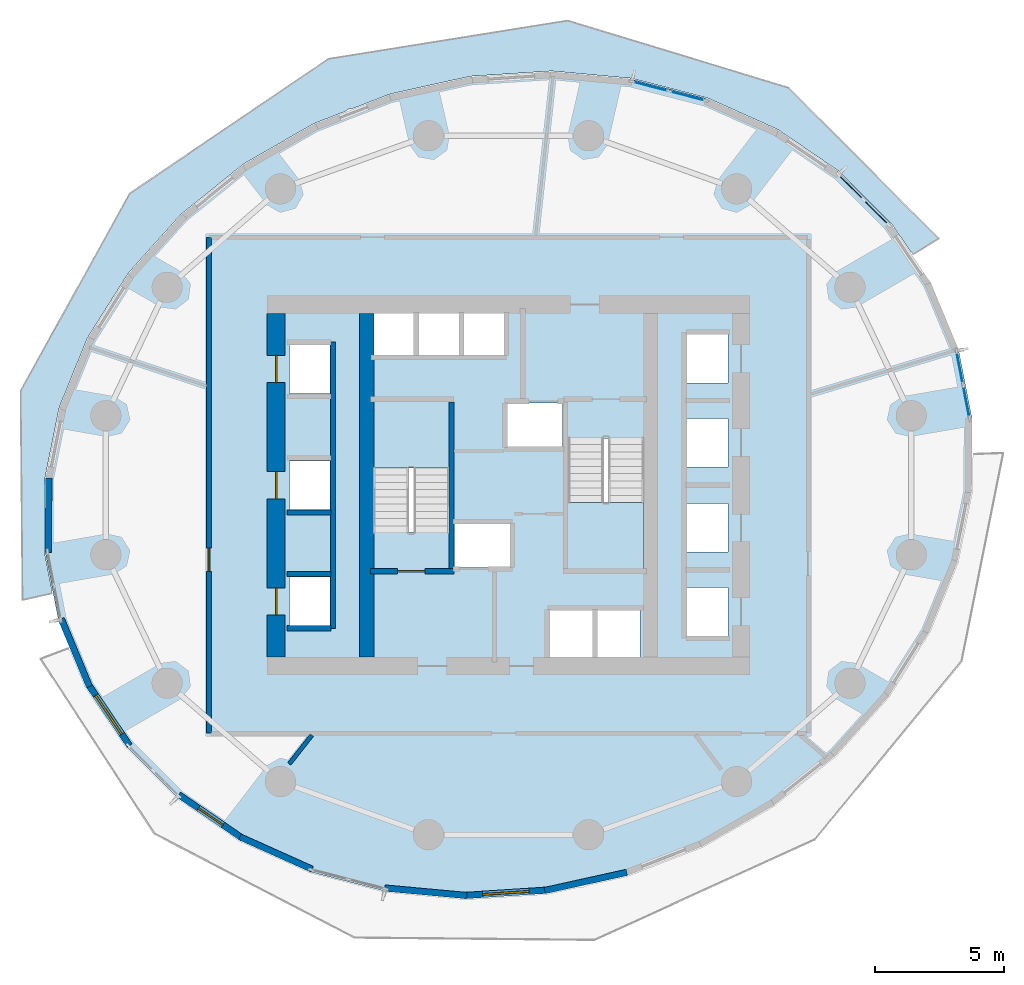
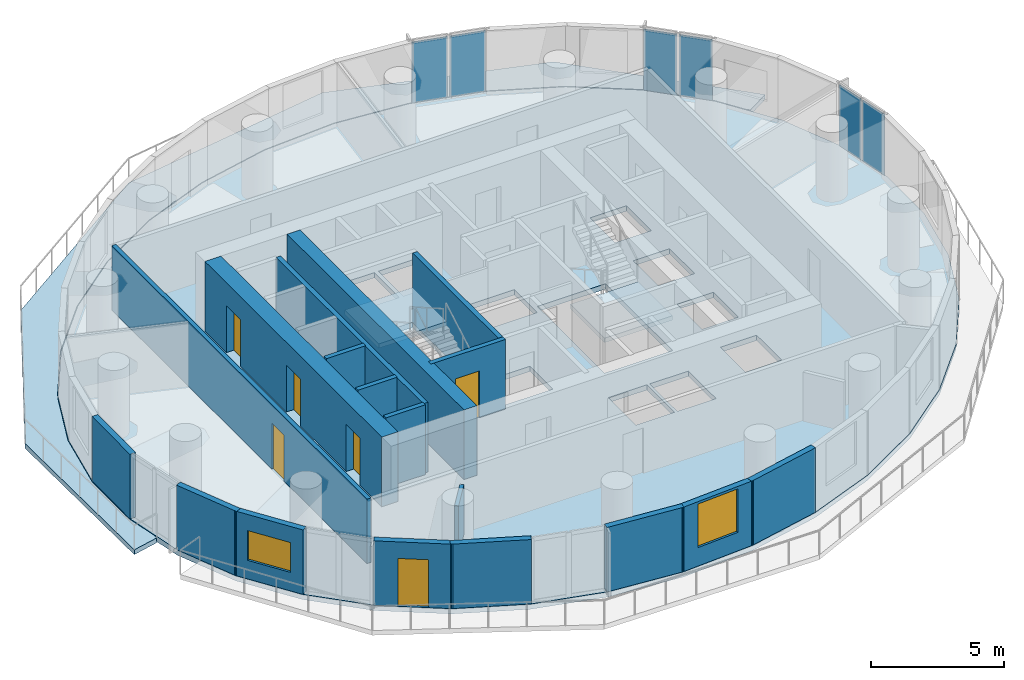
# One storey, part 3 of 10: 18 walls, 6 doors, 6 plates, 4 slabs, 2 windows, 8 openings, 5 elements without a shape of their own.
"""IFC4 building model written with IfcOpenShell, lengths in metres."""

from ifc_helpers import new_model, si_unit, direction, frame, frame_2d, origin, origin_2d, place, context, subcontext, project, spatial, polyline, rectangle, outline, extrude, material, layer, layer_set, type_object, element, fill, aggregate, save


model = new_model("IFC4")

# Units and contexts
model_context = context("Model", 3, precision=1e-05, world=origin(), true_north=direction((0.0, 1.0)))
body_context = subcontext(model_context, "Body", "Model", "MODEL_VIEW")
ifc_project = project(units=[si_unit("LENGTHUNIT", "METRE"), si_unit("AREAUNIT", "SQUARE_METRE"), si_unit("VOLUMEUNIT", "CUBIC_METRE"), si_unit("PLANEANGLEUNIT", "RADIAN"), si_unit("MASSUNIT", "GRAM", prefix="KILO")], contexts=[model_context])

# Site, building, storey
site_placement = place(None, origin())
site = spatial("IfcSite", under=ifc_project, at=site_placement, CompositionType="ELEMENT")
building_placement = place(site_placement, origin())
building = spatial("IfcBuilding", under=site, at=building_placement, Name="Veldorim Arch Residences", CompositionType="ELEMENT")
storey_placement = place(building_placement, frame((0.0, 0.0, 70.8798828125)))
storey = spatial("IfcBuildingStorey", under=building, at=storey_placement, Name="L20", CompositionType="ELEMENT", Elevation=70.8798828125)

# Slab
ifc_material_1 = material(Name="Concrete C40/50", Category="concrete")
ifc_layer_1 = layer(ifc_material_1, 0.219970703125, Name="Planted Crescent Cantilever Balcony Slab 220")
ifc_layer_set_1 = layer_set([ifc_layer_1], Name="Concrete C40/50")
slab_type_1 = type_object("IfcSlabType", Name="Planted Crescent Cantilever Balcony Slab 220", PredefinedType="FLOOR", material=ifc_layer_set_1)
slab_1_placement = place(storey_placement, frame((0.0, 0.0, -0.219970703125)))
element("IfcSlab", 1, at=slab_1_placement, inside=storey, type_object=slab_type_1, Name="L20 planted crescent balcony slab A", PredefinedType="FLOOR", context=body_context, shape_type="SweptSolid", body=[
    extrude(outline(polyline([(47.54833984375, 33.065185546875), (46.830078125, 34.13232421875), (44.821533203125, 36.1376953125), (42.423828125, 37.774169921875), (39.70947265625, 38.991943359375), (36.760986328125, 39.754150390625), (33.668212890625, 40.03759765625), (30.524658203125, 39.833984375), (27.426025390625, 39.149658203125), (25.990478515625, 38.594482421875), (25.816162109375, 38.564208984375), (25.677734375, 38.473388671875), (24.46630859375, 38.0048828125), (21.7353515625, 36.43505859375), (19.316162109375, 34.4873046875), (17.2822265625, 32.220703125), (15.6953125, 29.704345703125), (14.603759765625, 27.014404296875), (14.04052734375, 24.232666015625), (14.0234375, 21.44384765625), (14.30859375, 19.983154296875), (14.29931640625, 19.8134765625), (13.177978515625, 19.55908203125), (13.10498046875, 27.650390625), (17.331298828125, 35.29296875), (25.02294921875, 40.5087890625), (34.28955078125, 41.99169921875), (42.8408203125, 39.389892578125), (48.656982421875, 33.553955078125), (47.677490234375, 32.951416015625), (47.54833984375, 33.065185546875)])), origin(), (0.0, 0.0, 1.0), 0.219970703125),
])

# Stair, slab
ifc_material_2 = material(Name="Concrete C40/50", Category="concrete")
stair_type = type_object("IfcStairType", Name="Reinforced Concrete Dogleg Exit Staircase", PredefinedType="HALF_TURN_STAIR", material=ifc_material_2)
stair_1_placement = place(storey_placement, origin())
stair_1 = element("IfcStair", 2, at=stair_1_placement, inside=storey, type_object=stair_type, Name="L20 Exit Staircase ST-1", PredefinedType="HALF_TURN_STAIR")
ifc_material_3 = material(Name="Concrete C40/50", Category="concrete")
ifc_layer_2 = layer(ifc_material_3, 0.199951171875, Name="Reinforced Concrete Stair Landing 200")
ifc_layer_set_2 = layer_set([ifc_layer_2], Name="Concrete C40/50")
slab_type_2 = type_object("IfcSlabType", Name="Reinforced Concrete Stair Landing 200", PredefinedType="LANDING", material=ifc_layer_set_2)
slab_2_placement = place(storey_placement, frame((0.0, 0.0, 1.400146484375)))
slab_2 = element("IfcSlab", 3, at=slab_2_placement, type_object=slab_type_2, Name="ST-1 landing 1", PredefinedType="LANDING", context=body_context, shape_type="SweptSolid", body=[
    extrude(outline(polyline([(29.7099609375, 24.669921875), (29.7099609375, 27.25), (26.75, 27.25), (26.75, 24.669921875), (29.7099609375, 24.669921875)])), origin(), (0.0, 0.0, 1.0), 0.199951171875),
])
aggregate(stair_1, [slab_2])

stair_2_placement = place(storey_placement, origin())
stair_2 = element("IfcStair", 4, at=stair_2_placement, inside=storey, type_object=stair_type, Name="L20 Exit Staircase ST-2", PredefinedType="HALF_TURN_STAIR")
slab_3_placement = place(storey_placement, frame((0.0, 0.0, 1.400146484375)))
slab_3 = element("IfcSlab", 5, at=slab_3_placement, type_object=slab_type_2, Name="ST-2 landing 1", PredefinedType="LANDING", context=body_context, shape_type="SweptSolid", body=[
    extrude(outline(polyline([(34.2900390625, 23.330078125), (34.2900390625, 20.75), (37.25, 20.75), (37.25, 23.330078125), (34.2900390625, 23.330078125)])), origin(), (0.0, 0.0, 1.0), 0.199951171875),
])
aggregate(stair_2, [slab_3])

# Curtain wall, plates
ifc_material_4 = material(Name="Aluminium", Category="aluminium")
curtain_wall_type = type_object("IfcCurtainWallType", Name="Sky Lounge & Conservatory Tall Curtain Wall", PredefinedType="NOTDEFINED", material=ifc_material_4)
curtain_wall_1_placement = place(storey_placement, origin())
curtain_wall_1 = element("IfcCurtainWall", 6, at=curtain_wall_1_placement, inside=storey, type_object=curtain_wall_type, Name="L20 unitised curtain wall bay 03", PredefinedType="NOTDEFINED")
ifc_material_5 = material(Name="Laminated Low-E Glass", Category="glass")
ifc_layer_3 = layer(ifc_material_5, 0.031982421875, Name="Sky Lounge & Conservatory Tall Curtain Wall Glazing Panel 32")
ifc_layer_set_3 = layer_set([ifc_layer_3], Name="Laminated Low-E Glass")
plate_type = type_object("IfcPlateType", Name="Sky Lounge & Conservatory Tall Curtain Wall Glazing Panel 32", PredefinedType="CURTAIN_PANEL", material=ifc_layer_set_3)
plate_1_placement = place(storey_placement, frame((45.25732421875, 35.5400390625, 0.080078125), z_axis=(0.0, 0.0, 1.0), x_axis=(0.707635986485, -0.706577179529, 0.0)))
plate_1 = element("IfcPlate", 7, at=plate_1_placement, type_object=plate_type, Name="CW-SKY panel 1.1", PredefinedType="CURTAIN_PANEL", context=body_context, shape_type="SweptSolid", body=[
    extrude(rectangle(XDim=1.296630859375, YDim=0.031982421875, at=origin_2d()), origin(), (0.0, 0.0, 1.0), 2.800048828125),
])
plate_2_placement = place(storey_placement, frame((46.231689453125, 34.5673828125, 0.080078125), z_axis=(0.0, 0.0, 1.0), x_axis=(0.707635986485, -0.706577179529, 0.0)))
plate_2 = element("IfcPlate", 8, at=plate_2_placement, type_object=plate_type, Name="CW-SKY panel 2.1", PredefinedType="CURTAIN_PANEL", context=body_context, shape_type="SweptSolid", body=[
    extrude(rectangle(XDim=1.296630859375, YDim=0.031982421875, at=origin_2d()), origin(), (0.0, 0.0, 1.0), 2.800048828125),
])
aggregate(curtain_wall_1, [plate_1, plate_2])

curtain_wall_2_placement = place(storey_placement, origin())
curtain_wall_2 = element("IfcCurtainWall", 9, at=curtain_wall_2_placement, inside=storey, type_object=curtain_wall_type, Name="L20 unitised curtain wall bay 06", PredefinedType="NOTDEFINED")
plate_3_placement = place(storey_placement, frame((37.48974609375, 39.447021484375, 0.080078125), z_axis=(0.0, 0.0, 1.0), x_axis=(0.968169445733, -0.250295673853, 0.0)))
plate_3 = element("IfcPlate", 10, at=plate_3_placement, type_object=plate_type, Name="CW-SKY panel 1.1", PredefinedType="CURTAIN_PANEL", context=body_context, shape_type="SweptSolid", body=[
    extrude(rectangle(XDim=1.400634765625, YDim=0.031982421875, at=origin_2d()), origin(), (0.0, 0.0, 1.0), 2.800048828125),
])
plate_4_placement = place(storey_placement, frame((38.923095703125, 39.076416015625, 0.080078125), z_axis=(0.0, 0.0, 1.0), x_axis=(0.968169445733, -0.250295673853, 0.0)))
plate_4 = element("IfcPlate", 11, at=plate_4_placement, type_object=plate_type, Name="CW-SKY panel 2.1", PredefinedType="CURTAIN_PANEL", context=body_context, shape_type="SweptSolid", body=[
    extrude(rectangle(XDim=1.400634765625, YDim=0.031982421875, at=origin_2d()), origin(), (0.0, 0.0, 1.0), 2.800048828125),
])
aggregate(curtain_wall_2, [plate_3, plate_4])

curtain_wall_3_placement = place(storey_placement, origin())
curtain_wall_3 = element("IfcCurtainWall", 12, at=curtain_wall_3_placement, inside=storey, type_object=curtain_wall_type, Name="L20 unitised curtain wall bay 36", PredefinedType="NOTDEFINED")
plate_5_placement = place(storey_placement, frame((49.470703125, 28.546875, 0.080078125), z_axis=(0.0, 0.0, 1.0), x_axis=(0.191581078313, -0.981476790572, 0.0)))
plate_5 = element("IfcPlate", 13, at=plate_5_placement, type_object=plate_type, Name="CW-SKY panel 1.1", PredefinedType="CURTAIN_PANEL", context=body_context, shape_type="SweptSolid", body=[
    extrude(rectangle(XDim=1.2587890625, YDim=0.031982421875, at=origin_2d()), origin(), (0.0, 0.0, 1.0), 2.800048828125),
])
plate_6_placement = place(storey_placement, frame((49.727294921875, 27.23291015625, 0.080078125), z_axis=(0.0, 0.0, 1.0), x_axis=(0.191581078313, -0.981476790572, 0.0)))
plate_6 = element("IfcPlate", 14, at=plate_6_placement, type_object=plate_type, Name="CW-SKY panel 2.1", PredefinedType="CURTAIN_PANEL", context=body_context, shape_type="SweptSolid", body=[
    extrude(rectangle(XDim=1.2587890625, YDim=0.031982421875, at=origin_2d()), origin(), (0.0, 0.0, 1.0), 2.800048828125),
])
aggregate(curtain_wall_3, [plate_5, plate_6])

# Slab
ifc_material_6 = material(Name="Concrete C40/50", Category="concrete")
ifc_layer_4 = layer(ifc_material_6, 0.239990234375, Name="Typical Residential Floor Slab 240")
ifc_layer_set_4 = layer_set([ifc_layer_4], Name="Concrete C40/50")
slab_type_3 = type_object("IfcSlabType", Name="Typical Residential Floor Slab 240", PredefinedType="FLOOR", material=ifc_layer_set_4)
slab_4_placement = place(storey_placement, frame((0.0, 0.0, -0.239990234375)))
element("IfcSlab", 15, at=slab_4_placement, inside=storey, type_object=slab_type_3, Name="L20 tower structural floor slab", PredefinedType="FLOOR", context=body_context, shape_type="SweptSolid", body=[
    extrude(outline(polyline([(49.423095703125, 29.260498046875), (48.365478515625, 31.806884765625), (46.810546875, 34.116455078125), (44.8056640625, 36.118408203125), (42.41162109375, 37.752197265625), (39.701171875, 38.96826171875), (36.756591796875, 39.7294921875), (33.667724609375, 40.0126953125), (30.5283203125, 39.809326171875), (27.433349609375, 39.12548828125), (24.477294921875, 37.982421875), (21.74951171875, 36.414306640625), (19.33349609375, 34.468994140625), (17.30224609375, 32.20556640625), (15.717529296875, 29.69287109375), (14.627685546875, 27.007080078125), (14.065673828125, 24.22998046875), (14.048583984375, 21.446044921875), (14.576904296875, 18.739501953125), (15.634521484375, 16.193115234375), (17.189453125, 13.883544921875), (19.1943359375, 11.881591796875), (21.58837890625, 10.247802734375), (24.298828125, 9.03173828125), (27.243408203125, 8.2705078125), (30.332275390625, 7.9873046875), (33.4716796875, 8.190673828125), (36.566650390625, 8.87451171875), (39.522705078125, 10.017578125), (42.25048828125, 11.585693359375), (44.66650390625, 13.531005859375), (46.69775390625, 15.79443359375), (48.282470703125, 18.30712890625), (49.372314453125, 20.992919921875), (49.934326171875, 23.77001953125), (49.951416015625, 26.553955078125), (49.423095703125, 29.260498046875)]), holes=[polyline([(23.510009765625, 20.43994140625), (25.090087890625, 20.43994140625), (25.090087890625, 18.56005859375), (23.510009765625, 18.56005859375), (23.510009765625, 20.43994140625)]), polyline([(29.909912109375, 22.544921875), (32.090087890625, 22.544921875), (32.090087890625, 20.81494140625), (29.909912109375, 20.81494140625), (29.909912109375, 22.544921875)]), polyline([(23.510009765625, 24.93994140625), (25.090087890625, 24.93994140625), (25.090087890625, 23.06005859375), (23.510009765625, 23.06005859375), (23.510009765625, 24.93994140625)]), polyline([(26.75, 27.25), (29.7099609375, 27.25), (29.7099609375, 22.195068359375), (26.75, 22.195068359375), (26.75, 27.25)]), polyline([(23.510009765625, 29.43994140625), (25.090087890625, 29.43994140625), (25.090087890625, 27.56005859375), (23.510009765625, 27.56005859375), (23.510009765625, 29.43994140625)]), polyline([(26.760009765625, 30.7900390625), (28.340087890625, 30.7900390625), (28.340087890625, 28.909912109375), (26.760009765625, 28.909912109375), (26.760009765625, 30.7900390625)]), polyline([(28.510009765625, 30.7900390625), (30.090087890625, 30.7900390625), (30.090087890625, 28.909912109375), (28.510009765625, 28.909912109375), (28.510009765625, 30.7900390625)]), polyline([(30.260009765625, 30.7900390625), (31.840087890625, 30.7900390625), (31.840087890625, 28.909912109375), (30.260009765625, 28.909912109375), (30.260009765625, 30.7900390625)]), polyline([(33.610107421875, 19.2900390625), (35.2900390625, 19.2900390625), (35.2900390625, 17.2099609375), (33.610107421875, 17.2099609375), (33.610107421875, 19.2900390625)]), polyline([(35.409912109375, 19.2900390625), (37.090087890625, 19.2900390625), (37.090087890625, 17.2099609375), (35.409912109375, 17.2099609375), (35.409912109375, 19.2900390625)]), polyline([(38.909912109375, 20.0400390625), (40.489990234375, 20.0400390625), (40.489990234375, 18.159912109375), (38.909912109375, 18.159912109375), (38.909912109375, 20.0400390625)]), polyline([(38.909912109375, 23.2900390625), (40.489990234375, 23.2900390625), (40.489990234375, 21.409912109375), (38.909912109375, 21.409912109375), (38.909912109375, 23.2900390625)]), polyline([(34.2900390625, 25.804931640625), (37.25, 25.804931640625), (37.25, 20.75), (34.2900390625, 20.75), (34.2900390625, 25.804931640625)]), polyline([(38.909912109375, 26.590087890625), (40.489990234375, 26.590087890625), (40.489990234375, 24.7099609375), (38.909912109375, 24.7099609375), (38.909912109375, 26.590087890625)]), polyline([(31.909912109375, 27.18505859375), (34.090087890625, 27.18505859375), (34.090087890625, 25.455078125), (31.909912109375, 25.455078125), (31.909912109375, 27.18505859375)]), polyline([(38.909912109375, 29.840087890625), (40.489990234375, 29.840087890625), (40.489990234375, 27.9599609375), (38.909912109375, 27.9599609375), (38.909912109375, 29.840087890625)])]), origin(), (0.0, 0.0, 1.0), 0.239990234375),
])

# Wall, opening, door
ifc_material_7 = material(Name="Lightweight Masonry Block & Gypsum", Category="masonry")
ifc_layer_5 = layer(ifc_material_7, 0.179931640625, Name="Compartment & Corridor Fire-Rated Party Wall 180")
ifc_layer_set_5 = layer_set([ifc_layer_5], Name="Lightweight Masonry Block & Gypsum")
wall_type_1 = type_object("IfcWallType", Name="Compartment & Corridor Fire-Rated Party Wall 180", PredefinedType="PARTITIONING", material=ifc_layer_set_5)
wall_1_placement = place(storey_placement, frame((20.39990234375, 14.39990234375, 0.0), z_axis=(0.0, 0.0, 1.0), x_axis=(0.0, 1.0, 0.0)))
wall_1 = element("IfcWall", 16, at=wall_1_placement, inside=storey, type_object=wall_type_1, Name="L20 interior wall WL-SKY-L20-003", PredefinedType="PARTITIONING", context=body_context, shape_type="SweptSolid", body=[
    extrude(rectangle(XDim=19.2001953125, YDim=0.179931640625, at=frame_2d((9.60009765625, 0.0))), origin(), (0.0, 0.0, 1.0), 2.955078125),
])
opening_1_placement = place(wall_1_placement, frame((6.267578125, 0.0, 0.0)))
opening_1 = element("IfcOpeningElement", 17, at=opening_1_placement, cuts=wall_1, Name="Opening DR-INT", PredefinedType="OPENING", context=body_context, shape_type="SweptSolid", body=[
    extrude(rectangle(XDim=0.89990234375, YDim=2.10009765625, at=frame_2d((0.449951171875, 1.050048828125))), frame((0.0, 0.099853515625, 0.0), z_axis=(0.0, -1.0, 0.0), x_axis=(1.0, 0.0, 0.0)), (0.0, 0.0, 1.0), 0.199951171875),
])
ifc_material_8 = material(Name="Engineered Timber", Category="wood")
door_type_1 = type_object("IfcDoorType", Name="Apartment Internal Room Timber Door 900x2100", OperationType="SINGLE_SWING_LEFT", PredefinedType="DOOR", material=ifc_material_8)
door_1_placement = place(opening_1_placement, origin())
door_1 = element("IfcDoor", 18, at=door_1_placement, inside=storey, type_object=door_type_1, Name="L20 interior door DR-SKY-L20-003", OperationType="SINGLE_SWING_LEFT", OverallHeight=2.10009765625, OverallWidth=0.89990234375, PredefinedType="DOOR", context=body_context, shape_type="SweptSolid", body=[
    extrude(rectangle(XDim=0.89990234375, YDim=2.10009765625, at=frame_2d((0.449951171875, 1.050048828125))), frame((0.0, 0.02490234375, 0.0), z_axis=(0.0, -1.0, 0.0), x_axis=(1.0, 0.0, 0.0)), (0.0, 0.0, 1.0), 0.050048828125),
])
fill(opening_1, door_1)

# Wall
ifc_material_9 = material(Name="Concrete C50/60", Category="concrete")
ifc_layer_6 = layer(ifc_material_9, 0.199951171875, Name="Core Stair & Lift Shaft Enclosure Wall 200")
ifc_layer_set_6 = layer_set([ifc_layer_6], Name="Concrete C50/60")
wall_type_2 = type_object("IfcWallType", Name="Core Stair & Lift Shaft Enclosure Wall 200", PredefinedType="SHEAR", material=ifc_layer_set_6)
wall_2_placement = place(storey_placement, frame((29.7900390625, 20.780029296875, 0.0), z_axis=(0.0, 0.0, 1.0), x_axis=(0.0, 1.0, 0.0)))
element("IfcWall", 19, at=wall_2_placement, inside=storey, type_object=wall_type_2, Name="L20 shaft wall WL-SHF-L20-ST1-E", PredefinedType="SHEAR", context=body_context, shape_type="SweptSolid", body=[
    extrude(rectangle(XDim=6.43994140625, YDim=0.199951171875, at=frame_2d((3.219970703125, 0.0))), origin(), (0.0, 0.0, 1.0), 3.2001953125),
])

# Wall, opening, door
wall_3_placement = place(storey_placement, frame((26.64990234375, 20.669921875, 0.0), z_axis=(0.0, 0.0, 1.0), x_axis=(1.0, 0.0, 0.0)))
wall_3 = element("IfcWall", 20, at=wall_3_placement, inside=storey, type_object=wall_type_2, Name="L20 shaft wall WL-SHF-L20-ST1-S", PredefinedType="SHEAR", context=body_context, shape_type="SweptSolid", body=[
    extrude(rectangle(XDim=3.239990234375, YDim=0.199951171875, at=frame_2d((1.6201171875, 0.0))), origin(), (0.0, 0.0, 1.0), 3.2001953125),
])
opening_2_placement = place(wall_3_placement, frame((1.054931640625, 0.0, 0.0)))
opening_2 = element("IfcOpeningElement", 21, at=opening_2_placement, cuts=wall_3, Name="Opening DR-ST", PredefinedType="OPENING", context=body_context, shape_type="SweptSolid", body=[
    extrude(rectangle(XDim=1.050048828125, YDim=2.14990234375, at=frame_2d((0.52490234375, 1.074951171875))), frame((0.0, 0.10986328125, 0.0), z_axis=(0.0, -1.0, 0.0), x_axis=(1.0, 0.0, 0.0)), (0.0, 0.0, 1.0), 0.219970703125),
])
ifc_material_10 = material(Name="Fire-Rated Steel", Category="steel")
door_type_2 = type_object("IfcDoorType", Name="Exit Staircase Self-Closing Fire Door 1050x2150", OperationType="SINGLE_SWING_LEFT", PredefinedType="DOOR", material=ifc_material_10)
door_2_placement = place(opening_2_placement, origin())
door_2 = element("IfcDoor", 22, at=door_2_placement, inside=storey, type_object=door_type_2, Name="L20 interior door DR-L20-ST1", OperationType="SINGLE_SWING_LEFT", OverallHeight=2.14990234375, OverallWidth=1.050048828125, PredefinedType="DOOR", context=body_context, shape_type="SweptSolid", body=[
    extrude(rectangle(XDim=1.050048828125, YDim=2.14990234375, at=frame_2d((0.52490234375, 1.074951171875))), frame((0.0, 0.02490234375, 0.0), z_axis=(0.0, -1.0, 0.0), x_axis=(1.0, 0.0, 0.0)), (0.0, 0.0, 1.0), 0.050048828125),
])
fill(opening_2, door_2)

# Walls
wall_4_placement = place(storey_placement, frame((25.199951171875, 18.4599609375, 0.0), z_axis=(0.0, 0.0, 1.0), x_axis=(0.0, 1.0, 0.0)))
element("IfcWall", 23, at=wall_4_placement, inside=storey, type_object=wall_type_2, Name="L20 shaft wall WL-B2-L20-E", PredefinedType="SHEAR", context=body_context, shape_type="SweptSolid", body=[
    extrude(rectangle(XDim=11.080078125, YDim=0.199951171875, at=frame_2d((5.5400390625, 0.0))), origin(), (0.0, 0.0, 1.0), 3.2001953125),
])
for number, where, z_axis, x_axis, name in (
    (24, (23.419921875, 18.4599609375, 0.0), (0.0, 0.0, 1.0), (1.0, 0.0, 0.0), "L20 shaft wall WL-B2-L20-S"),
    (25, (23.419921875, 20.56005859375, 0.0), (0.0, 0.0, 1.0), (1.0, 0.0, 0.0), "L20 shaft wall WL-B2-L20-D1A"),
    (26, (23.419921875, 22.93994140625, 0.0), (0.0, 0.0, 1.0), (1.0, 0.0, 0.0), "L20 shaft wall WL-B2-L20-D1B"),
):
    element("IfcWall", number, at=place(storey_placement, frame(where, z_axis=z_axis, x_axis=x_axis)), inside=storey, type_object=wall_type_2, Name=name, PredefinedType="SHEAR", context=body_context, shape_type="SweptSolid", body=[
        extrude(rectangle(XDim=1.7099609375, YDim=0.199951171875, at=frame_2d((0.85498046875, 0.0))), origin(), (0.0, 0.0, 1.0), 3.2001953125),
    ])
ifc_material_11 = material(Name="Concrete C60/75", Category="concrete")
ifc_layer_7 = layer(ifc_material_11, 0.56005859375, Name="Internal Core Shear Web Wall 560")
ifc_layer_set_7 = layer_set([ifc_layer_7], Name="Concrete C60/75")
wall_type_3 = type_object("IfcWallType", Name="Internal Core Shear Web Wall 560", PredefinedType="SHEAR", material=ifc_layer_set_7)
wall_5_placement = place(storey_placement, frame((26.5, 17.35009765625, 0.0), z_axis=(0.0, 0.0, 1.0), x_axis=(0.0, 1.0, 0.0)))
element("IfcWall", 27, at=wall_5_placement, inside=storey, type_object=wall_type_3, Name="L20 core west internal shear web", PredefinedType="SHEAR", context=body_context, shape_type="SweptSolid", body=[
    extrude(rectangle(XDim=13.2998046875, YDim=0.56005859375, at=frame_2d((6.64990234375, 0.0))), origin(), (0.0, 0.0, 1.0), 3.2001953125),
])

# Wall, openings, doors
ifc_material_12 = material(Name="Concrete C60/75", Category="concrete")
ifc_layer_8 = layer(ifc_material_12, 0.699951171875, Name="Mid-Lower Central Core Shear Wall 700")
ifc_layer_set_8 = layer_set([ifc_layer_8], Name="Concrete C60/75")
wall_type_4 = type_object("IfcWallType", Name="Mid-Lower Central Core Shear Wall 700", PredefinedType="SHEAR", material=ifc_layer_set_8)
wall_6_placement = place(storey_placement, frame((23.0, 17.35009765625, 0.0), z_axis=(0.0, 0.0, 1.0), x_axis=(0.0, 1.0, 0.0)))
wall_6 = element("IfcWall", 28, at=wall_6_placement, inside=storey, type_object=wall_type_4, Name="L20 central core west shear wall", PredefinedType="SHEAR", context=body_context, shape_type="SweptSolid", body=[
    extrude(rectangle(XDim=13.2998046875, YDim=0.699951171875, at=frame_2d((6.64990234375, 0.0))), origin(), (0.0, 0.0, 1.0), 3.2001953125),
])
opening_3_placement = place(wall_6_placement, frame((1.625, 0.0, 0.0)))
opening_3 = element("IfcOpeningElement", 29, at=opening_3_placement, cuts=wall_6, Name="Opening LD-PS", PredefinedType="OPENING", context=body_context, shape_type="SweptSolid", body=[
    extrude(rectangle(XDim=1.050048828125, YDim=2.14990234375, at=frame_2d((0.52490234375, 1.074951171875))), frame((0.0, 0.35986328125, 0.0), z_axis=(0.0, -1.0, 0.0), x_axis=(1.0, 0.0, 0.0)), (0.0, 0.0, 1.0), 0.719970703125),
])
opening_4_placement = place(wall_6_placement, frame((6.125, 0.0, 0.0)))
opening_4 = element("IfcOpeningElement", 30, at=opening_4_placement, cuts=wall_6, Name="Opening LD-PS", PredefinedType="OPENING", context=body_context, shape_type="SweptSolid", body=[
    extrude(rectangle(XDim=1.050048828125, YDim=2.14990234375, at=frame_2d((0.52490234375, 1.074951171875))), frame((0.0, 0.35986328125, 0.0), z_axis=(0.0, -1.0, 0.0), x_axis=(1.0, 0.0, 0.0)), (0.0, 0.0, 1.0), 0.719970703125),
])
opening_5_placement = place(wall_6_placement, frame((10.625, 0.0, 0.0)))
opening_5 = element("IfcOpeningElement", 31, at=opening_5_placement, cuts=wall_6, Name="Opening LD-PS", PredefinedType="OPENING", context=body_context, shape_type="SweptSolid", body=[
    extrude(rectangle(XDim=1.050048828125, YDim=2.14990234375, at=frame_2d((0.52490234375, 1.074951171875))), frame((0.0, 0.35986328125, 0.0), z_axis=(0.0, -1.0, 0.0), x_axis=(1.0, 0.0, 0.0)), (0.0, 0.0, 1.0), 0.719970703125),
])
ifc_material_13 = material(Name="Stainless Steel", Category="steel")
door_type_3 = type_object("IfcDoorType", Name="Passenger Lift Bi-Parting Sliding Landing Door 1050x2150", OperationType="DOUBLE_DOOR_SLIDING", PredefinedType="DOOR", material=ifc_material_13)
door_3_placement = place(opening_3_placement, origin())
door_3 = element("IfcDoor", 32, at=door_3_placement, inside=storey, type_object=door_type_3, Name="L20 lift landing door LD-L20-PL-05", OperationType="DOUBLE_DOOR_SLIDING", OverallHeight=2.14990234375, OverallWidth=1.050048828125, PredefinedType="DOOR", context=body_context, shape_type="SweptSolid", body=[
    extrude(rectangle(XDim=1.050048828125, YDim=2.14990234375, at=frame_2d((0.52490234375, 1.074951171875))), frame((0.0, 0.02490234375, 0.0), z_axis=(0.0, -1.0, 0.0), x_axis=(1.0, 0.0, 0.0)), (0.0, 0.0, 1.0), 0.050048828125),
])
fill(opening_3, door_3)
door_4_placement = place(opening_4_placement, origin())
door_4 = element("IfcDoor", 33, at=door_4_placement, inside=storey, type_object=door_type_3, Name="L20 lift landing door LD-L20-PL-06", OperationType="DOUBLE_DOOR_SLIDING", OverallHeight=2.14990234375, OverallWidth=1.050048828125, PredefinedType="DOOR", context=body_context, shape_type="SweptSolid", body=[
    extrude(rectangle(XDim=1.050048828125, YDim=2.14990234375, at=frame_2d((0.52490234375, 1.074951171875))), frame((0.0, 0.02490234375, 0.0), z_axis=(0.0, -1.0, 0.0), x_axis=(1.0, 0.0, 0.0)), (0.0, 0.0, 1.0), 0.050048828125),
])
fill(opening_4, door_4)
door_5_placement = place(opening_5_placement, origin())
door_5 = element("IfcDoor", 34, at=door_5_placement, inside=storey, type_object=door_type_3, Name="L20 lift landing door LD-L20-PL-07", OperationType="DOUBLE_DOOR_SLIDING", OverallHeight=2.14990234375, OverallWidth=1.050048828125, PredefinedType="DOOR", context=body_context, shape_type="SweptSolid", body=[
    extrude(rectangle(XDim=1.050048828125, YDim=2.14990234375, at=frame_2d((0.52490234375, 1.074951171875))), frame((0.0, 0.02490234375, 0.0), z_axis=(0.0, -1.0, 0.0), x_axis=(1.0, 0.0, 0.0)), (0.0, 0.0, 1.0), 0.050048828125),
])
fill(opening_5, door_5)

# Walls
ifc_material_14 = material(Name="Precast concrete C40/50", Category="concrete")
ifc_layer_9 = layer(ifc_material_14, 0.25, Name="Tower Terracotta Spandrel & Pier Wall 250")
ifc_layer_set_9 = layer_set([ifc_layer_9], Name="Precast concrete C40/50")
wall_type_5 = type_object("IfcWallType", Name="Tower Terracotta Spandrel & Pier Wall 250", PredefinedType="SOLIDWALL", material=ifc_layer_set_9)
wall_7_placement = place(storey_placement, frame((14.173095703125, 21.400390625, 0.0), z_axis=(0.0, 0.0, 1.0), x_axis=(0.006201036057, 0.999980773391, 0.0)))
element("IfcWall", 35, at=wall_7_placement, inside=storey, type_object=wall_type_5, Name="L20 terracotta facade wall 17", PredefinedType="SOLIDWALL", context=body_context, shape_type="SweptSolid", body=[
    extrude(rectangle(XDim=2.8740234375, YDim=0.25, at=frame_2d((1.43701171875, 0.0))), origin(), (0.0, 0.0, 1.0), 2.960205078125),
])
wall_8_placement = place(storey_placement, frame((15.76708984375, 16.199462890625, 0.0), z_axis=(0.0, 0.0, 1.0), x_axis=(-0.383525326811, 0.923530358838, 0.0)))
element("IfcWall", 36, at=wall_8_placement, inside=storey, type_object=wall_type_5, Name="L20 terracotta facade wall 19", PredefinedType="SOLIDWALL", context=body_context, shape_type="SweptSolid", body=[
    extrude(rectangle(XDim=2.847412109375, YDim=0.25, at=frame_2d((1.423828125, 0.0))), origin(), (0.0, 0.0, 1.0), 2.960205078125),
])

# Wall, opening, window
wall_9_placement = place(storey_placement, frame((17.318115234375, 13.916015625, 0.0), z_axis=(0.0, 0.0, 1.0), x_axis=(-0.558458439807, 0.829532501478, 0.0)))
wall_9 = element("IfcWall", 37, at=wall_9_placement, inside=storey, type_object=wall_type_5, Name="L20 terracotta facade wall 20", PredefinedType="SOLIDWALL", context=body_context, shape_type="SweptSolid", body=[
    extrude(rectangle(XDim=2.8740234375, YDim=0.25, at=frame_2d((1.43701171875, 0.0))), origin(), (0.0, 0.0, 1.0), 2.960205078125),
])
opening_6_placement = place(wall_9_placement, frame((0.537109375, 0.0, 0.85009765625)))
opening_6 = element("IfcOpeningElement", 38, at=opening_6_placement, cuts=wall_9, Name="Opening WN-04", PredefinedType="OPENING", context=body_context, shape_type="SweptSolid", body=[
    extrude(rectangle(XDim=1.800048828125, YDim=1.3701171875, at=frame_2d((0.89990234375, 0.68505859375))), frame((0.0, 0.135009765625, 0.0), z_axis=(0.0, -1.0, 0.0), x_axis=(1.0, 0.0, 0.0)), (0.0, 0.0, 1.0), 0.27001953125),
])
ifc_material_15 = material(Name="Laminated Low-E Glass", Category="glass")
window_type = type_object("IfcWindowType", Name="Sky Lounge Tall Picture Window 1800x1370", PartitioningType="SINGLE_PANEL", PredefinedType="WINDOW", material=ifc_material_15)
window_1_placement = place(opening_6_placement, origin())
window_1 = element("IfcWindow", 39, at=window_1_placement, inside=storey, type_object=window_type, Name="L20 solar-control facade window 20", OverallHeight=1.3701171875, OverallWidth=1.800048828125, PartitioningType="SINGLE_PANEL", PredefinedType="WINDOW", context=body_context, shape_type="SweptSolid", body=[
    extrude(rectangle(XDim=1.800048828125, YDim=1.3701171875, at=frame_2d((0.89990234375, 0.68505859375))), frame((0.0, 0.030029296875, 0.0), z_axis=(0.0, -1.0, 0.0), x_axis=(1.0, 0.0, 0.0)), (0.0, 0.0, 1.0), 0.06005859375),
])
fill(opening_6, window_1)

# Wall, opening, door
wall_10_placement = place(storey_placement, frame((21.696044921875, 10.32568359375, 0.0), z_axis=(0.0, 0.0, 1.0), x_axis=(-0.825967987646, 0.56371702421, 0.0)))
wall_10 = element("IfcWall", 40, at=wall_10_placement, inside=storey, type_object=wall_type_5, Name="L20 terracotta facade wall 22", PredefinedType="SOLIDWALL", context=body_context, shape_type="SweptSolid", body=[
    extrude(rectangle(XDim=2.98828125, YDim=0.25, at=frame_2d((1.494140625, 0.0))), origin(), (0.0, 0.0, 1.0), 2.960205078125),
])
opening_7_placement = place(wall_10_placement, frame((0.9189453125, 0.0, 0.0)))
opening_7 = element("IfcOpeningElement", 41, at=opening_7_placement, cuts=wall_10, Name="Opening BL-DR", PredefinedType="OPENING", context=body_context, shape_type="SweptSolid", body=[
    extrude(rectangle(XDim=1.14990234375, YDim=2.199951171875, at=frame_2d((0.574951171875, 1.10009765625))), frame((0.0, 0.135009765625, 0.0), z_axis=(0.0, -1.0, 0.0), x_axis=(1.0, 0.0, 0.0)), (0.0, 0.0, 1.0), 0.27001953125),
])
ifc_material_16 = material(Name="Aluminium & Low-E Glass", Category="aluminium")
door_type_4 = type_object("IfcDoorType", Name="Glazed Planted Balcony Door 1150x2200", OperationType="SINGLE_SWING_LEFT", PredefinedType="DOOR", material=ifc_material_16)
door_6_placement = place(opening_7_placement, origin())
door_6 = element("IfcDoor", 42, at=door_6_placement, inside=storey, type_object=door_type_4, Name="L20 glazed outdoor terrace door BALC-2", OperationType="SINGLE_SWING_RIGHT", OverallHeight=2.199951171875, OverallWidth=1.14990234375, PredefinedType="DOOR", context=body_context, shape_type="SweptSolid", body=[
    extrude(rectangle(XDim=1.14990234375, YDim=2.199951171875, at=frame_2d((0.574951171875, 1.10009765625))), frame((0.0, 0.02490234375, 0.0), z_axis=(0.0, -1.0, 0.0), x_axis=(1.0, 0.0, 0.0)), (0.0, 0.0, 1.0), 0.050048828125),
])
fill(opening_7, door_6)

# Walls
wall_11_placement = place(storey_placement, frame((24.39111328125, 9.12744140625, 0.0), z_axis=(0.0, 0.0, 1.0), x_axis=(-0.912401485772, 0.40929638254, 0.0)))
element("IfcWall", 43, at=wall_11_placement, inside=storey, type_object=wall_type_5, Name="L20 terracotta facade wall 23", PredefinedType="SOLIDWALL", context=body_context, shape_type="SweptSolid", body=[
    extrude(rectangle(XDim=3.060546875, YDim=0.25, at=frame_2d((1.5302734375, 0.0))), origin(), (0.0, 0.0, 1.0), 2.960205078125),
])
wall_12_placement = place(storey_placement, frame((30.388427734375, 8.10791015625, 0.0), z_axis=(0.0, 0.0, 1.0), x_axis=(-0.9958277433, 0.091252976247, 0.0)))
element("IfcWall", 44, at=wall_12_placement, inside=storey, type_object=wall_type_5, Name="L20 terracotta facade wall 25", PredefinedType="SOLIDWALL", context=body_context, shape_type="SweptSolid", body=[
    extrude(rectangle(XDim=3.19189453125, YDim=0.25, at=frame_2d((1.595947265625, 0.0))), origin(), (0.0, 0.0, 1.0), 2.960205078125),
])

# Wall, opening, window
wall_13_placement = place(storey_placement, frame((33.508544921875, 8.318359375, 0.0), z_axis=(0.0, 0.0, 1.0), x_axis=(-0.997907602465, -0.064656143896, 0.0)))
wall_13 = element("IfcWall", 45, at=wall_13_placement, inside=storey, type_object=wall_type_5, Name="L20 terracotta facade wall 26", PredefinedType="SOLIDWALL", context=body_context, shape_type="SweptSolid", body=[
    extrude(rectangle(XDim=3.236083984375, YDim=0.25, at=frame_2d((1.6181640625, 0.0))), origin(), (0.0, 0.0, 1.0), 2.960205078125),
])
opening_8_placement = place(wall_13_placement, frame((0.718017578125, 0.0, 0.85009765625)))
opening_8 = element("IfcOpeningElement", 46, at=opening_8_placement, cuts=wall_13, Name="Opening WN-04", PredefinedType="OPENING", context=body_context, shape_type="SweptSolid", body=[
    extrude(rectangle(XDim=1.800048828125, YDim=2.0, at=frame_2d((0.89990234375, 1.0))), frame((0.0, 0.135009765625, 0.0), z_axis=(0.0, -1.0, 0.0), x_axis=(1.0, 0.0, 0.0)), (0.0, 0.0, 1.0), 0.27001953125),
])
window_2_placement = place(opening_8_placement, origin())
window_2 = element("IfcWindow", 47, at=window_2_placement, inside=storey, type_object=window_type, Name="L20 solar-control facade window 26", OverallHeight=2.0, OverallWidth=1.800048828125, PartitioningType="SINGLE_PANEL", PredefinedType="WINDOW", context=body_context, shape_type="SweptSolid", body=[
    extrude(rectangle(XDim=1.800048828125, YDim=2.0, at=frame_2d((0.89990234375, 1.0))), frame((0.0, 0.030029296875, 0.0), z_axis=(0.0, -1.0, 0.0), x_axis=(1.0, 0.0, 0.0)), (0.0, 0.0, 1.0), 0.06005859375),
])
fill(opening_8, window_2)

# Walls
wall_14_placement = place(storey_placement, frame((36.583740234375, 9.006103515625, 0.0), z_axis=(0.0, 0.0, 1.0), x_axis=(-0.976457694784, -0.215708994476, 0.0)))
element("IfcWall", 48, at=wall_14_placement, inside=storey, type_object=wall_type_5, Name="L20 terracotta facade wall 27", PredefinedType="SOLIDWALL", context=body_context, shape_type="SweptSolid", body=[
    extrude(rectangle(XDim=3.259521484375, YDim=0.25, at=frame_2d((1.6298828125, 0.0))), origin(), (0.0, 0.0, 1.0), 2.960205078125),
])
ifc_material_17 = material(Name="Moisture-Resistant Gypsum & Stud", Category="gypsum")
ifc_layer_10 = layer(ifc_material_17, 0.159912109375, Name="Wet-Area Moisture-Resistant Plumbing Wall 160")
ifc_layer_set_10 = layer_set([ifc_layer_10], Name="Moisture-Resistant Gypsum & Stud")
wall_type_6 = type_object("IfcWallType", Name="Wet-Area Moisture-Resistant Plumbing Wall 160", PredefinedType="PLUMBINGWALL", material=ifc_layer_set_10)
wall_15_placement = place(storey_placement, frame((24.3837890625, 14.3212890625, 0.0), z_axis=(0.0, 0.0, 1.0), x_axis=(-0.61843050819, -0.785839491589, 0.0)))
element("IfcWall", 49, at=wall_15_placement, inside=storey, type_object=wall_type_6, Name="L20 interior wall WL-SKY-L20-009", PredefinedType="PLUMBINGWALL", context=body_context, shape_type="SweptSolid", body=[
    extrude(rectangle(XDim=1.416015625, YDim=0.159912109375, at=frame_2d((0.7080078125, 0.0))), origin(), (0.0, 0.0, 1.0), 2.2607421875),
])

save(model, "model.ifc")
